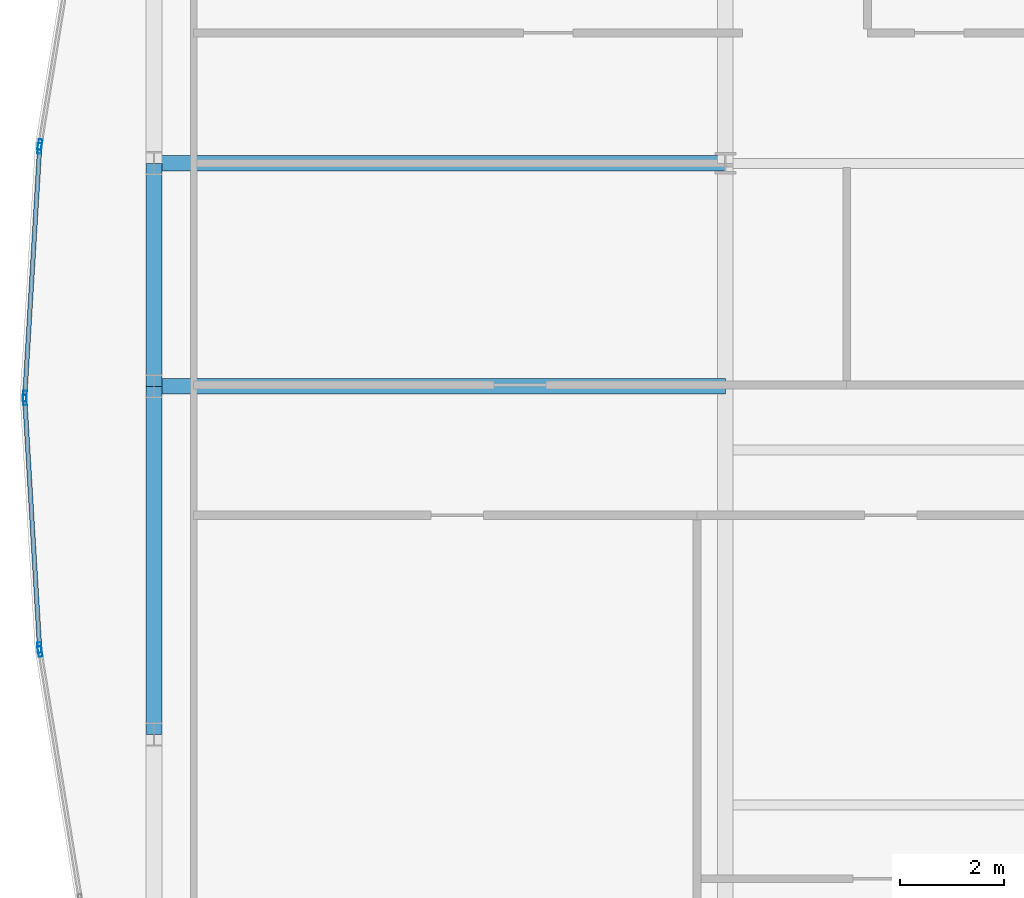
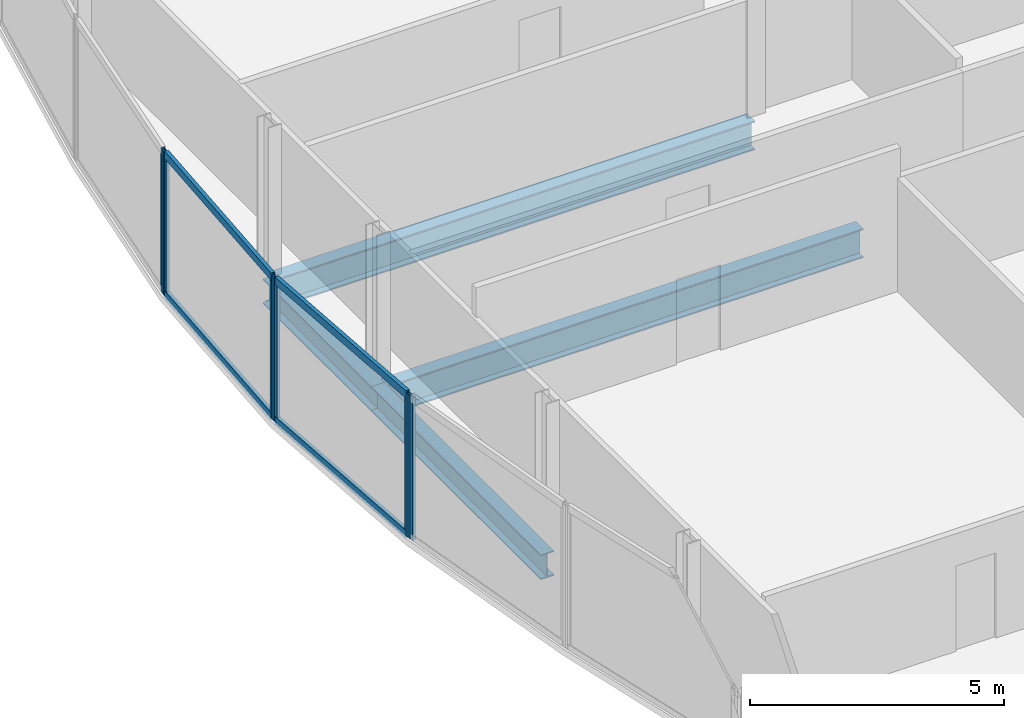
# One storey, part 10 of 30: 10 members, 4 beams, 4 elements without a shape of their own.
"""IFC4 building model written with IfcOpenShell, lengths in metres."""

from ifc_helpers import new_model, si_unit, direction, frame, origin, origin_2d, place, context, subcontext, project, spatial, hollow_rectangle, i_section, extrude, material, material_profile, profile_set, type_object, element, aggregate, save


model = new_model("IFC4")

# Units and contexts
model_context = context("Model", 3, precision=1e-05, world=origin(), true_north=direction((0.0, 1.0)))
body_context = subcontext(model_context, "Body", "Model", "MODEL_VIEW")
ifc_project = project(units=[si_unit("LENGTHUNIT", "METRE"), si_unit("AREAUNIT", "SQUARE_METRE"), si_unit("VOLUMEUNIT", "CUBIC_METRE"), si_unit("PLANEANGLEUNIT", "RADIAN"), si_unit("MASSUNIT", "GRAM", prefix="KILO")], contexts=[model_context])

# Site, building, storey
site_placement = place(None, origin())
site = spatial("IfcSite", under=ifc_project, at=site_placement, CompositionType="ELEMENT")
building_placement = place(site_placement, origin())
building = spatial("IfcBuilding", under=site, at=building_placement, Name="Khoronbel Lancet Exchange", CompositionType="ELEMENT")
storey_placement = place(building_placement, frame((0.0, 0.0, 213.800048828125)))
storey = spatial("IfcBuildingStorey", under=building, at=storey_placement, Name="L54", CompositionType="ELEMENT", Elevation=213.800048828125)

# Beams
ifc_material_1 = material(Name="Steel S355", Category="steel")
ifc_material_profile_1 = material_profile(ifc_material_1, i_section(OverallWidth=0.300048828125, OverallDepth=0.699951171875, WebThickness=0.01708984375, FlangeThickness=0.031982421875, at=origin_2d()), Name="HEB 700")
ifc_profile_set_1 = profile_set([ifc_material_profile_1], Name="Steel S355")
beam_type_1 = type_object("IfcBeamType", Name="BM-BG3", PredefinedType="BEAM", material=ifc_profile_set_1)
for number, where, z_axis, x_axis, name in (
    (1, (7.27001953125, 31.425048828125, -0.510009765625), (1.0, 0.0, 0.0), (0.0, 1.0, 0.0), "Level L54 west lens tie girder LG2W"),
    (2, (7.27001953125, 35.699951171875, -0.510009765625), (1.0, 0.0, 0.0), (0.0, 1.0, 0.0), "Level L54 west lens tie girder LG4W"),
):
    element("IfcBeam", number, at=place(storey_placement, frame(where, z_axis=z_axis, x_axis=x_axis)), inside=storey, type_object=beam_type_1, Name=name, PredefinedType="BEAM", context=body_context, shape_type="SweptSolid", body=[
        extrude(i_section(OverallWidth=0.300048828125, OverallDepth=0.699951171875, WebThickness=0.01708984375, FlangeThickness=0.031982421875, at=origin_2d()), origin(), (0.0, 0.0, 1.0), 10.955078125),
    ])
ifc_material_profile_2 = material_profile(ifc_material_1, i_section(OverallWidth=0.300048828125, OverallDepth=0.60009765625, WebThickness=0.015380859375, FlangeThickness=0.030029296875, at=origin_2d()), Name="HEB 600")
ifc_profile_set_2 = profile_set([ifc_material_profile_2], Name="Steel S355")
beam_type_2 = type_object("IfcBeamType", Name="BM-BSP2", PredefinedType="SPANDREL", material=ifc_profile_set_2)
beam_1_placement = place(storey_placement, frame((7.27001953125, 35.699951171875, -0.4599609375), z_axis=(0.0, -1.0, 0.0), x_axis=(1.0, 0.0, 0.0)))
element("IfcBeam", 3, at=beam_1_placement, inside=storey, type_object=beam_type_2, Name="Level L54 perimeter spandrel beam SP18", PredefinedType="SPANDREL", context=body_context, shape_type="SweptSolid", body=[
    extrude(i_section(OverallWidth=0.300048828125, OverallDepth=0.60009765625, WebThickness=0.015380859375, FlangeThickness=0.030029296875, at=origin_2d()), origin(), (0.0, 0.0, 1.0), 4.27490234375),
])
beam_2_placement = place(storey_placement, frame((7.27001953125, 31.425048828125, -0.4599609375), z_axis=(0.0, -1.0, 0.0), x_axis=(1.0, 0.0, 0.0)))
element("IfcBeam", 4, at=beam_2_placement, inside=storey, type_object=beam_type_2, Name="Level L54 perimeter spandrel beam SP19", PredefinedType="SPANDREL", context=body_context, shape_type="SweptSolid", body=[
    extrude(i_section(OverallWidth=0.300048828125, OverallDepth=0.60009765625, WebThickness=0.015380859375, FlangeThickness=0.030029296875, at=origin_2d()), origin(), (0.0, 0.0, 1.0), 6.675048828125),
])

# Curtain wall, member
ifc_material_2 = material(Name="Low-E Solar Control Insulating Glass", Category="glass")
curtain_wall_type = type_object("IfcCurtainWallType", Name="CW-4", PredefinedType="NOTDEFINED", material=ifc_material_2)
curtain_wall_1_placement = place(storey_placement, origin())
curtain_wall_1 = element("IfcCurtainWall", 5, at=curtain_wall_1_placement, inside=storey, type_object=curtain_wall_type, Name="Unitised curtain wall CW-L54-E05", PredefinedType="NOTDEFINED")
ifc_material_3 = material(Name="Bronze-Anodised Aluminium 6063-T6", Category="aluminium")
ifc_material_profile_3 = material_profile(ifc_material_3, hollow_rectangle(XDim=0.074951171875, YDim=0.199951171875, WallThickness=0.0048828125, at=origin_2d()), Name="ALU MULLION 75x200")
ifc_profile_set_3 = profile_set([ifc_material_profile_3], Name="Bronze-Anodised Aluminium 6063-T6")
member_type_1 = type_object("IfcMemberType", Name="MEM-CWM2", PredefinedType="MULLION", material=ifc_profile_set_3)
member_1_placement = place(storey_placement, frame((5.083740234375, 26.339599609375, 0.0), z_axis=(0.0, 0.0, 1.0), x_axis=(-0.987003272186, -0.16070015773, 0.0)))
member_1 = element("IfcMember", 6, at=member_1_placement, type_object=member_type_1, Name="CW4 mullion 2", PredefinedType="MULLION", context=body_context, shape_type="SweptSolid", body=[
    extrude(hollow_rectangle(XDim=0.074951171875, YDim=0.199951171875, WallThickness=0.0048828125, at=origin_2d()), origin(), (0.0, 0.0, 1.0), 3.43994140625),
])
aggregate(curtain_wall_1, [member_1])

# Curtain wall, members
curtain_wall_2_placement = place(storey_placement, origin())
curtain_wall_2 = element("IfcCurtainWall", 7, at=curtain_wall_2_placement, inside=storey, type_object=curtain_wall_type, Name="Unitised curtain wall CW-L54-E06", PredefinedType="NOTDEFINED")
member_2_placement = place(storey_placement, frame((5.075439453125, 26.4140625, 0.0), z_axis=(0.0, 0.0, 1.0), x_axis=(-0.998229555001, -0.059479034311, 0.0)))
member_2 = element("IfcMember", 8, at=member_2_placement, type_object=member_type_1, Name="CW4 mullion 1", PredefinedType="MULLION", context=body_context, shape_type="SweptSolid", body=[
    extrude(hollow_rectangle(XDim=0.074951171875, YDim=0.199951171875, WallThickness=0.0048828125, at=origin_2d()), origin(), (0.0, 0.0, 1.0), 3.43994140625),
])
member_3_placement = place(storey_placement, frame((4.79248046875, 31.16259765625, 0.0), z_axis=(0.0, 0.0, 1.0), x_axis=(-0.998229555001, -0.059479034311, 0.0)))
member_3 = element("IfcMember", 9, at=member_3_placement, type_object=member_type_1, Name="CW4 mullion 2", PredefinedType="MULLION", context=body_context, shape_type="SweptSolid", body=[
    extrude(hollow_rectangle(XDim=0.074951171875, YDim=0.199951171875, WallThickness=0.0048828125, at=origin_2d()), origin(), (0.0, 0.0, 1.0), 3.43994140625),
])

curtain_wall_3_placement = place(storey_placement, origin())
curtain_wall_3 = element("IfcCurtainWall", 10, at=curtain_wall_3_placement, inside=storey, type_object=curtain_wall_type, Name="Unitised curtain wall CW-L54-E07", PredefinedType="NOTDEFINED")
member_4_placement = place(storey_placement, frame((4.79248046875, 31.237548828125, 0.0), z_axis=(0.0, 0.0, 1.0), x_axis=(-0.998229555001, 0.059479034311, 0.0)))
member_4 = element("IfcMember", 11, at=member_4_placement, type_object=member_type_1, Name="CW4 mullion 1", PredefinedType="MULLION", context=body_context, shape_type="SweptSolid", body=[
    extrude(hollow_rectangle(XDim=0.074951171875, YDim=0.199951171875, WallThickness=0.0048828125, at=origin_2d()), origin(), (0.0, 0.0, 1.0), 3.43994140625),
])
member_5_placement = place(storey_placement, frame((5.075439453125, 35.986083984375, 0.0), z_axis=(0.0, 0.0, 1.0), x_axis=(-0.998229555001, 0.059479034311, 0.0)))
member_5 = element("IfcMember", 12, at=member_5_placement, type_object=member_type_1, Name="CW4 mullion 2", PredefinedType="MULLION", context=body_context, shape_type="SweptSolid", body=[
    extrude(hollow_rectangle(XDim=0.074951171875, YDim=0.199951171875, WallThickness=0.0048828125, at=origin_2d()), origin(), (0.0, 0.0, 1.0), 3.43994140625),
])

# Curtain wall, member
curtain_wall_4_placement = place(storey_placement, origin())
curtain_wall_4 = element("IfcCurtainWall", 13, at=curtain_wall_4_placement, inside=storey, type_object=curtain_wall_type, Name="Unitised curtain wall CW-L54-E08", PredefinedType="NOTDEFINED")
member_6_placement = place(storey_placement, frame((5.083740234375, 36.060302734375, 0.0), z_axis=(0.0, 0.0, 1.0), x_axis=(-0.987003272186, 0.16070015773, 0.0)))
member_6 = element("IfcMember", 14, at=member_6_placement, type_object=member_type_1, Name="CW4 mullion 1", PredefinedType="MULLION", context=body_context, shape_type="SweptSolid", body=[
    extrude(hollow_rectangle(XDim=0.074951171875, YDim=0.199951171875, WallThickness=0.0048828125, at=origin_2d()), origin(), (0.0, 0.0, 1.0), 3.43994140625),
])
aggregate(curtain_wall_4, [member_6])

# Member
ifc_material_profile_4 = material_profile(ifc_material_3, hollow_rectangle(XDim=0.0849609375, YDim=0.179931640625, WallThickness=0.0048828125, at=origin_2d()), Name="ALU TRANSOM 85x180")
ifc_profile_set_4 = profile_set([ifc_material_profile_4], Name="Bronze-Anodised Aluminium 6063-T6")
member_type_2 = type_object("IfcMemberType", Name="MEM-CWT1", PredefinedType="USERDEFINED", material=ifc_profile_set_4)
member_7_placement = place(storey_placement, frame((5.0732421875, 26.451416015625, 0.04248046875), z_axis=(-0.05949534128, 0.998228583224, 0.0), x_axis=(-0.998228583224, -0.05949534128, 0.0)))
member_7 = element("IfcMember", 15, at=member_7_placement, type_object=member_type_2, Name="CW4 transom 1.1", ObjectType="TRANSOM", PredefinedType="USERDEFINED", context=body_context, shape_type="SweptSolid", body=[
    extrude(hollow_rectangle(XDim=0.0849609375, YDim=0.179931640625, WallThickness=0.0048828125, at=origin_2d()), origin(), (0.0, 0.0, 1.0), 4.68212890625),
])

member_8_placement = place(storey_placement, frame((5.0732421875, 26.451416015625, 3.3974609375), z_axis=(-0.05949534128, 0.998228583224, 0.0), x_axis=(-0.998228583224, -0.05949534128, 0.0)))
member_8 = element("IfcMember", 16, at=member_8_placement, type_object=member_type_2, Name="CW4 transom 1.2", ObjectType="TRANSOM", PredefinedType="USERDEFINED", context=body_context, shape_type="SweptSolid", body=[
    extrude(hollow_rectangle(XDim=0.0849609375, YDim=0.179931640625, WallThickness=0.0048828125, at=origin_2d()), origin(), (0.0, 0.0, 1.0), 4.68212890625),
])

aggregate(curtain_wall_2, [member_2, member_3, member_7, member_8])

member_9_placement = place(storey_placement, frame((4.794677734375, 31.27490234375, 0.04248046875), z_axis=(0.05949843822, 0.998228398639, 0.0), x_axis=(-0.998228398639, 0.05949843822, 0.0)))
member_9 = element("IfcMember", 17, at=member_9_placement, type_object=member_type_2, Name="CW4 transom 1.1", ObjectType="TRANSOM", PredefinedType="USERDEFINED", context=body_context, shape_type="SweptSolid", body=[
    extrude(hollow_rectangle(XDim=0.0849609375, YDim=0.179931640625, WallThickness=0.0048828125, at=origin_2d()), origin(), (0.0, 0.0, 1.0), 4.681884765625),
])

member_10_placement = place(storey_placement, frame((4.794677734375, 31.27490234375, 3.3974609375), z_axis=(0.05949843822, 0.998228398639, 0.0), x_axis=(-0.998228398639, 0.05949843822, 0.0)))
member_10 = element("IfcMember", 18, at=member_10_placement, type_object=member_type_2, Name="CW4 transom 1.2", ObjectType="TRANSOM", PredefinedType="USERDEFINED", context=body_context, shape_type="SweptSolid", body=[
    extrude(hollow_rectangle(XDim=0.0849609375, YDim=0.179931640625, WallThickness=0.0048828125, at=origin_2d()), origin(), (0.0, 0.0, 1.0), 4.681884765625),
])

aggregate(curtain_wall_3, [member_4, member_5, member_9, member_10])

save(model, "model.ifc")
